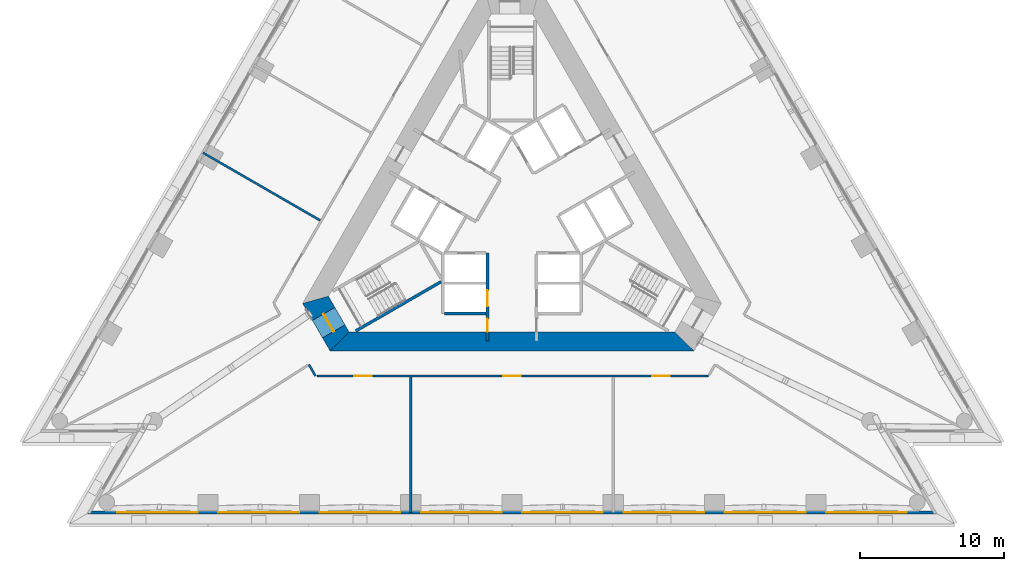
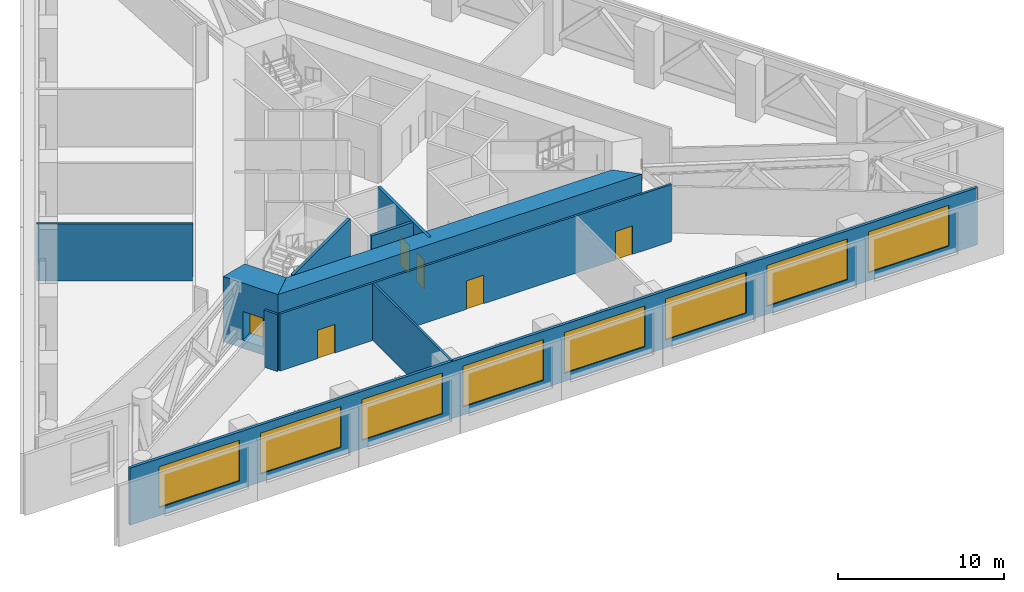
# One storey, part 6 of 12: 10 walls, 8 windows, 6 doors, 14 openings.
"""IFC4 building model written with IfcOpenShell, lengths in metres."""

from ifc_helpers import new_model, si_unit, direction, frame, frame_2d, origin, place, context, subcontext, project, spatial, polyline, rectangle, outline, extrude, material, layer, layer_set, layer_usage, type_object, element, fill, save


model = new_model("IFC4")

# Units and contexts
model_context = context("Model", 3, precision=1e-05, world=origin(), true_north=direction((0.0, 1.0)))
body_context = subcontext(model_context, "Body", "Model", "MODEL_VIEW")
ifc_project = project(units=[si_unit("LENGTHUNIT", "METRE"), si_unit("AREAUNIT", "SQUARE_METRE"), si_unit("VOLUMEUNIT", "CUBIC_METRE"), si_unit("PLANEANGLEUNIT", "RADIAN"), si_unit("MASSUNIT", "GRAM", prefix="KILO")], contexts=[model_context])

# Site, building, storey
site_placement = place(None, origin())
site = spatial("IfcSite", under=ifc_project, at=site_placement, CompositionType="ELEMENT")
building_placement = place(site_placement, origin())
building = spatial("IfcBuilding", under=site, at=building_placement, Name="Triada Interchange Tower", CompositionType="ELEMENT")
storey_placement = place(building_placement, frame((0.0, 0.0, 99.800048828125)))
storey = spatial("IfcBuildingStorey", under=building, at=storey_placement, Name="L22", CompositionType="ELEMENT", Elevation=99.800048828125)

# Wall
ifc_material_1 = material(Name="Concrete C30/37", Category="concrete")
ifc_layer_1 = layer(ifc_material_1, 0.199951171875)
ifc_layer_set_1 = layer_set([ifc_layer_1], Name="CORE WALL 200 EI 120")
wall_type_1 = type_object("IfcWallType", Name="CORE WALL 200 EI 120", PredefinedType="SOLIDWALL", material=ifc_layer_set_1)
wall_1_placement = place(storey_placement, frame((-4.699951171875, -6.89990234375, 0.0), z_axis=(0.0, 0.0, 1.0), x_axis=(1.0, 0.0, 0.0)))
element("IfcWall", 1, at=wall_1_placement, inside=storey, type_object=wall_type_1, Name="Wall L22 27", PredefinedType="SOLIDWALL", context=body_context, shape_type="SweptSolid", body=[
    extrude(rectangle(XDim=2.89990234375, YDim=0.199951171875, at=frame_2d((1.449951171875, 0.0))), origin(), (0.0, 0.0, 1.0), 4.199951171875),
])

# Wall, openings, doors
wall_2_placement = place(storey_placement, frame((-1.699951171875, -8.830078125, 0.0), z_axis=(0.0, 0.0, 1.0), x_axis=(0.0, 1.0, 0.0)))
wall_2 = element("IfcWall", 2, at=wall_2_placement, inside=storey, type_object=wall_type_1, Name="Wall L22 29", PredefinedType="SOLIDWALL", context=body_context, shape_type="SweptSolid", body=[
    extrude(rectangle(XDim=6.127197265625, YDim=0.199951171875, at=frame_2d((3.0634765625, 0.0))), origin(), (0.0, 0.0, 1.0), 4.199951171875),
])
opening_1_placement = place(wall_2_placement, frame((2.429931640625, 0.0, 0.0)))
opening_1 = element("IfcOpeningElement", 3, at=opening_1_placement, cuts=wall_2, Name="Opening LD-LR4", PredefinedType="OPENING", context=body_context, shape_type="SweptSolid", body=[
    extrude(rectangle(XDim=1.10009765625, YDim=2.10009765625, at=frame_2d((0.550048828125, 1.050048828125))), frame((0.0, 0.10986328125, 0.0), z_axis=(0.0, -1.0, 0.0), x_axis=(1.0, 0.0, 0.0)), (0.0, 0.0, 1.0), 0.219970703125),
])
opening_2_placement = place(wall_2_placement, frame((0.655029296875, 0.0, 0.0)))
opening_2 = element("IfcOpeningElement", 4, at=opening_2_placement, cuts=wall_2, Name="Opening D22-25", PredefinedType="OPENING", context=body_context, shape_type="SweptSolid", body=[
    extrude(rectangle(XDim=0.89990234375, YDim=2.10009765625, at=frame_2d((0.449951171875, 1.050048828125))), frame((0.0, 0.10986328125, 0.0), z_axis=(0.0, -1.0, 0.0), x_axis=(1.0, 0.0, 0.0)), (0.0, 0.0, 1.0), 0.219970703125),
])
ifc_material_2 = material(Name="Steel S235 door leaf", Category="steel")
door_type_1 = type_object("IfcDoorType", Name="LIFT LANDING DOOR 1100 EI 120", OperationType="SLIDING_TO_LEFT", PredefinedType="DOOR", material=ifc_material_2)
door_1_placement = place(opening_1_placement, origin())
door_1 = element("IfcDoor", 5, at=door_1_placement, inside=storey, type_object=door_type_1, Name="LR4 landing door L22", OperationType="SLIDING_TO_LEFT", OverallHeight=2.10009765625, OverallWidth=1.10009765625, PredefinedType="DOOR", context=body_context, shape_type="SweptSolid", body=[
    extrude(rectangle(XDim=1.10009765625, YDim=2.10009765625, at=frame_2d((0.550048828125, 1.050048828125))), frame((0.0, 0.02490234375, 0.0), z_axis=(0.0, -1.0, 0.0), x_axis=(1.0, 0.0, 0.0)), (0.0, 0.0, 1.0), 0.050048828125),
])
fill(opening_1, door_1)
door_type_2 = type_object("IfcDoorType", Name="SERVICE DOOR 900 EI2 45-C5S200", OperationType="NOTDEFINED", PredefinedType="DOOR", material=ifc_material_2)
door_2_placement = place(opening_2_placement, origin())
door_2 = element("IfcDoor", 6, at=door_2_placement, inside=storey, type_object=door_type_2, Name="Door D22-25 L22", OperationType="SINGLE_SWING_RIGHT", OverallHeight=2.10009765625, OverallWidth=0.89990234375, PredefinedType="DOOR", context=body_context, shape_type="SweptSolid", body=[
    extrude(rectangle(XDim=0.89990234375, YDim=2.10009765625, at=frame_2d((0.449951171875, 1.050048828125))), frame((0.0, 0.02490234375, 0.0), z_axis=(0.0, -1.0, 0.0), x_axis=(1.0, 0.0, 0.0)), (0.0, 0.0, 1.0), 0.050048828125),
])
fill(opening_2, door_2)

# Walls
ifc_layer_2 = layer(ifc_material_1, 0.199951171875)
ifc_layer_set_2 = layer_set([ifc_layer_2], Name="CORE WALL 200 REI 240")
wall_type_2 = type_object("IfcWallType", Name="CORE WALL 200 REI 240", PredefinedType="SOLIDWALL", material=ifc_layer_set_2)
wall_3_placement = place(storey_placement, frame((-10.85302734375, -8.113037109375, 0.0), z_axis=(0.0, 0.0, 1.0), x_axis=(0.866047105788, 0.499962409144, 0.0)))
element("IfcWall", 7, at=wall_3_placement, inside=storey, type_object=wall_type_2, Name="Wall L22 62", PredefinedType="SOLIDWALL", context=body_context, shape_type="SweptSolid", body=[
    extrude(rectangle(XDim=6.84033203125, YDim=0.199951171875, at=frame_2d((3.420166015625, 0.0))), origin(), (0.0, 0.0, 1.0), 4.199951171875),
])
ifc_material_3 = material(Name="Concrete C70/85", Category="concrete")
ifc_layer_3 = layer(ifc_material_3, 1.300048828125)
ifc_layer_set_3 = layer_set([ifc_layer_3], Name="Core wall A 1300")
wall_type_3 = type_object("IfcWallType", Name="Core wall A 1300", PredefinedType="SHEAR", material=ifc_layer_set_3)
wall_4_placement = place(storey_placement, frame((-11.97998046875, -8.85009765625, -0.60009765625), z_axis=(0.0, 0.0, 1.0), x_axis=(1.0, 0.0, 0.0)))
element("IfcWall", 8, at=wall_4_placement, inside=storey, type_object=wall_type_3, Name="Core wall WA10 L22", PredefinedType="SHEAR", context=body_context, shape_type="SweptSolid", body=[
    extrude(outline(polyline([(-0.6640625, -0.64990234375), (1.28125, -0.64990234375), (3.226318359375, -0.64990234375), (5.171630859375, -0.64990234375), (7.116943359375, -0.64990234375), (9.06201171875, -0.64990234375), (11.00732421875, -0.64990234375), (12.95263671875, -0.64990234375), (14.89794921875, -0.64990234375), (16.843017578125, -0.64990234375), (18.788330078125, -0.64990234375), (20.733642578125, -0.64990234375), (22.6787109375, -0.64990234375), (24.6240234375, -0.64990234375), (23.2958984375, 0.64990234375), (21.409912109375, 0.64990234375), (19.52392578125, 0.64990234375), (17.637939453125, 0.64990234375), (15.751953125, 0.64990234375), (13.865966796875, 0.64990234375), (11.97998046875, 0.64990234375), (10.093994140625, 0.64990234375), (8.2080078125, 0.64990234375), (6.322021484375, 0.64990234375), (4.43603515625, 0.64990234375), (2.550048828125, 0.64990234375), (0.6640625, 0.64990234375), (-0.6640625, -0.64990234375)])), origin(), (0.0, 0.0, 1.0), 4.800048828125),
])

# Wall, opening, door
ifc_layer_4 = layer(ifc_material_3, 1.800048828125)
ifc_layer_set_4 = layer_set([ifc_layer_4], Name="Core wall A 1800")
wall_type_4 = type_object("IfcWallType", Name="Core wall A 1800", PredefinedType="SHEAR", material=ifc_layer_set_4)
wall_5_placement = place(storey_placement, frame((-13.654052734375, -5.949951171875, -0.60009765625), z_axis=(0.0, 0.0, 1.0), x_axis=(0.499926515799, -0.866067825751, 0.0)))
wall_5 = element("IfcWall", 9, at=wall_5_placement, inside=storey, type_object=wall_type_4, Name="Core wall WA09 L22", PredefinedType="SHEAR", context=body_context, shape_type="SweptSolid", body=[
    extrude(outline(polyline([(-0.23095703125, -0.89990234375), (1.674072265625, -0.89990234375), (3.5791015625, -0.89990234375), (3.116943359375, 0.89990234375), (1.673828125, 0.89990234375), (0.23095703125, 0.89990234375), (-0.23095703125, -0.89990234375)])), origin(), (0.0, 0.0, 1.0), 4.800048828125),
])
opening_3_placement = place(wall_5_placement, frame((1.134033203125, 0.0, 0.60009765625)))
opening_3 = element("IfcOpeningElement", 10, at=opening_3_placement, cuts=wall_5, Name="Opening D22-22", PredefinedType="OPENING", context=body_context, shape_type="SweptSolid", body=[
    extrude(rectangle(XDim=1.39990234375, YDim=2.10009765625, at=frame_2d((0.699951171875, 1.050048828125))), frame((0.0, 0.909912109375, 0.0), z_axis=(0.0, -1.0, 0.0), x_axis=(1.0, 0.0, 0.0)), (0.0, 0.0, 1.0), 1.820068359375),
])
door_type_3 = type_object("IfcDoorType", Name="STAIR DOOR 1400 EI2 90-C5S200", OperationType="DOUBLE_DOOR_SINGLE_SWING", PredefinedType="DOOR", material=ifc_material_2)
door_3_placement = place(opening_3_placement, origin())
door_3 = element("IfcDoor", 11, at=door_3_placement, inside=storey, type_object=door_type_3, Name="Door D22-22 L22", OperationType="DOUBLE_DOOR_SINGLE_SWING", OverallHeight=2.10009765625, OverallWidth=1.39990234375, PredefinedType="DOOR", context=body_context, shape_type="SweptSolid", body=[
    extrude(rectangle(XDim=1.39990234375, YDim=2.10009765625, at=frame_2d((0.699951171875, 1.050048828125))), frame((0.0, 0.02490234375, 0.0), z_axis=(0.0, -1.0, 0.0), x_axis=(1.0, 0.0, 0.0)), (0.0, 0.0, 1.0), 0.050048828125),
])
fill(opening_3, door_3)

# Wall, openings, windows
ifc_material_4 = material(Name="Cement board")
ifc_layer_5 = layer(ifc_material_4, 0.02001953125, Name="Cement board cladding")
ifc_material_5 = material(Name="Sheathing board")
ifc_layer_6 = layer(ifc_material_5, 0.014892578125, Name="Sheathing board")
ifc_material_6 = material(Name="Mineral wool")
ifc_layer_7 = layer(ifc_material_6, 0.14990234375, Name="Mineral wool between steel studs")
ifc_material_7 = material(Name="Gypsum board")
ifc_layer_8 = layer(ifc_material_7, 0.014892578125, Name="Plasterboard lining")
ifc_layer_set_5 = layer_set([ifc_layer_5, ifc_layer_6, ifc_layer_7, ifc_layer_8], Name="External wall 200")
ifc_layer_usage = layer_usage(ifc_layer_set_5, "AXIS2", "POSITIVE", -0.10009765625)
wall_type_5 = type_object("IfcWallType", Name="External wall 200", PredefinedType="ELEMENTEDWALL", material=ifc_layer_set_5)
wall_6_placement = place(storey_placement, frame((-29.466064453125, -20.72705078125, 0.0), z_axis=(0.0, 0.0, 1.0), x_axis=(1.0, 0.0, 0.0)))
wall_6 = element("IfcWall", 12, at=wall_6_placement, inside=storey, type_object=wall_type_5, material=ifc_layer_usage, Name="External wall L22 S", PredefinedType="ELEMENTEDWALL", context=body_context, shape_type="SweptSolid", body=[
    extrude(rectangle(XDim=58.912109375, YDim=0.199951171875, at=frame_2d((29.4560546875, 0.0))), origin(), (0.0, 0.0, 1.0), 4.199951171875),
])
opening_4_placement = place(wall_6_placement, frame((2.02294921875, 0.0, 0.60009765625)))
opening_4 = element("IfcOpeningElement", 13, at=opening_4_placement, cuts=wall_6, Name="Opening LA11", PredefinedType="OPENING", context=body_context, shape_type="SweptSolid", body=[
    extrude(rectangle(XDim=5.60009765625, YDim=3.0, at=frame_2d((2.800048828125, 1.5))), frame((0.0, 0.10986328125, 0.0), z_axis=(0.0, -1.0, 0.0), x_axis=(1.0, 0.0, 0.0)), (0.0, 0.0, 1.0), 0.219970703125),
])
opening_5_placement = place(wall_6_placement, frame((9.06396484375, 0.0, 0.60009765625)))
opening_5 = element("IfcOpeningElement", 14, at=opening_5_placement, cuts=wall_6, Name="Opening LA12", PredefinedType="OPENING", context=body_context, shape_type="SweptSolid", body=[
    extrude(rectangle(XDim=5.60009765625, YDim=3.0, at=frame_2d((2.800048828125, 1.5))), frame((0.0, 0.10986328125, 0.0), z_axis=(0.0, -1.0, 0.0), x_axis=(1.0, 0.0, 0.0)), (0.0, 0.0, 1.0), 0.219970703125),
])
opening_6_placement = place(wall_6_placement, frame((16.10498046875, 0.0, 0.60009765625)))
opening_6 = element("IfcOpeningElement", 15, at=opening_6_placement, cuts=wall_6, Name="Opening LA13", PredefinedType="OPENING", context=body_context, shape_type="SweptSolid", body=[
    extrude(rectangle(XDim=5.60009765625, YDim=3.0, at=frame_2d((2.800048828125, 1.5))), frame((0.0, 0.10986328125, 0.0), z_axis=(0.0, -1.0, 0.0), x_axis=(1.0, 0.0, 0.0)), (0.0, 0.0, 1.0), 0.219970703125),
])
opening_7_placement = place(wall_6_placement, frame((23.14599609375, 0.0, 0.60009765625)))
opening_7 = element("IfcOpeningElement", 16, at=opening_7_placement, cuts=wall_6, Name="Opening LA14", PredefinedType="OPENING", context=body_context, shape_type="SweptSolid", body=[
    extrude(rectangle(XDim=5.60009765625, YDim=3.0, at=frame_2d((2.800048828125, 1.5))), frame((0.0, 0.10986328125, 0.0), z_axis=(0.0, -1.0, 0.0), x_axis=(1.0, 0.0, 0.0)), (0.0, 0.0, 1.0), 0.219970703125),
])
opening_8_placement = place(wall_6_placement, frame((30.18603515625, 0.0, 0.60009765625)))
opening_8 = element("IfcOpeningElement", 17, at=opening_8_placement, cuts=wall_6, Name="Opening LA15", PredefinedType="OPENING", context=body_context, shape_type="SweptSolid", body=[
    extrude(rectangle(XDim=5.60009765625, YDim=3.0, at=frame_2d((2.800048828125, 1.5))), frame((0.0, 0.10986328125, 0.0), z_axis=(0.0, -1.0, 0.0), x_axis=(1.0, 0.0, 0.0)), (0.0, 0.0, 1.0), 0.219970703125),
])
opening_9_placement = place(wall_6_placement, frame((37.22705078125, 0.0, 0.60009765625)))
opening_9 = element("IfcOpeningElement", 18, at=opening_9_placement, cuts=wall_6, Name="Opening LA16", PredefinedType="OPENING", context=body_context, shape_type="SweptSolid", body=[
    extrude(rectangle(XDim=5.60009765625, YDim=3.0, at=frame_2d((2.800048828125, 1.5))), frame((0.0, 0.10986328125, 0.0), z_axis=(0.0, -1.0, 0.0), x_axis=(1.0, 0.0, 0.0)), (0.0, 0.0, 1.0), 0.219970703125),
])
opening_10_placement = place(wall_6_placement, frame((44.26806640625, 0.0, 0.60009765625)))
opening_10 = element("IfcOpeningElement", 19, at=opening_10_placement, cuts=wall_6, Name="Opening LA17", PredefinedType="OPENING", context=body_context, shape_type="SweptSolid", body=[
    extrude(rectangle(XDim=5.60009765625, YDim=3.0, at=frame_2d((2.800048828125, 1.5))), frame((0.0, 0.10986328125, 0.0), z_axis=(0.0, -1.0, 0.0), x_axis=(1.0, 0.0, 0.0)), (0.0, 0.0, 1.0), 0.219970703125),
])
opening_11_placement = place(wall_6_placement, frame((51.30908203125, 0.0, 0.60009765625)))
opening_11 = element("IfcOpeningElement", 20, at=opening_11_placement, cuts=wall_6, Name="Opening LA18", PredefinedType="OPENING", context=body_context, shape_type="SweptSolid", body=[
    extrude(rectangle(XDim=5.60009765625, YDim=3.0, at=frame_2d((2.800048828125, 1.5))), frame((0.0, 0.10986328125, 0.0), z_axis=(0.0, -1.0, 0.0), x_axis=(1.0, 0.0, 0.0)), (0.0, 0.0, 1.0), 0.219970703125),
])
ifc_material_8 = material(Name="Aluminium louvre", Category="aluminium")
window_type = type_object("IfcWindowType", Name="Plant louvre A face", PartitioningType="SINGLE_PANEL", PredefinedType="WINDOW", material=ifc_material_8)
window_1_placement = place(opening_4_placement, origin())
window_1 = element("IfcWindow", 21, at=window_1_placement, inside=storey, type_object=window_type, Name="Louvre L22 S 1", OverallHeight=3.0, OverallWidth=5.60009765625, PartitioningType="SINGLE_PANEL", PredefinedType="WINDOW", context=body_context, shape_type="SweptSolid", body=[
    extrude(rectangle(XDim=5.60009765625, YDim=3.0, at=frame_2d((2.800048828125, 1.5))), frame((0.0, 0.030029296875, 0.0), z_axis=(0.0, -1.0, 0.0), x_axis=(1.0, 0.0, 0.0)), (0.0, 0.0, 1.0), 0.06005859375),
])
fill(opening_4, window_1)
window_2_placement = place(opening_5_placement, origin())
window_2 = element("IfcWindow", 22, at=window_2_placement, inside=storey, type_object=window_type, Name="Louvre L22 S 2", OverallHeight=3.0, OverallWidth=5.60009765625, PartitioningType="SINGLE_PANEL", PredefinedType="WINDOW", context=body_context, shape_type="SweptSolid", body=[
    extrude(rectangle(XDim=5.60009765625, YDim=3.0, at=frame_2d((2.800048828125, 1.5))), frame((0.0, 0.030029296875, 0.0), z_axis=(0.0, -1.0, 0.0), x_axis=(1.0, 0.0, 0.0)), (0.0, 0.0, 1.0), 0.06005859375),
])
fill(opening_5, window_2)
window_3_placement = place(opening_6_placement, origin())
window_3 = element("IfcWindow", 23, at=window_3_placement, inside=storey, type_object=window_type, Name="Louvre L22 S 3", OverallHeight=3.0, OverallWidth=5.60009765625, PartitioningType="SINGLE_PANEL", PredefinedType="WINDOW", context=body_context, shape_type="SweptSolid", body=[
    extrude(rectangle(XDim=5.60009765625, YDim=3.0, at=frame_2d((2.800048828125, 1.5))), frame((0.0, 0.030029296875, 0.0), z_axis=(0.0, -1.0, 0.0), x_axis=(1.0, 0.0, 0.0)), (0.0, 0.0, 1.0), 0.06005859375),
])
fill(opening_6, window_3)
window_4_placement = place(opening_7_placement, origin())
window_4 = element("IfcWindow", 24, at=window_4_placement, inside=storey, type_object=window_type, Name="Louvre L22 S 4", OverallHeight=3.0, OverallWidth=5.60009765625, PartitioningType="SINGLE_PANEL", PredefinedType="WINDOW", context=body_context, shape_type="SweptSolid", body=[
    extrude(rectangle(XDim=5.60009765625, YDim=3.0, at=frame_2d((2.800048828125, 1.5))), frame((0.0, 0.030029296875, 0.0), z_axis=(0.0, -1.0, 0.0), x_axis=(1.0, 0.0, 0.0)), (0.0, 0.0, 1.0), 0.06005859375),
])
fill(opening_7, window_4)
window_5_placement = place(opening_8_placement, origin())
window_5 = element("IfcWindow", 25, at=window_5_placement, inside=storey, type_object=window_type, Name="Louvre L22 S 5", OverallHeight=3.0, OverallWidth=5.60009765625, PartitioningType="SINGLE_PANEL", PredefinedType="WINDOW", context=body_context, shape_type="SweptSolid", body=[
    extrude(rectangle(XDim=5.60009765625, YDim=3.0, at=frame_2d((2.800048828125, 1.5))), frame((0.0, 0.030029296875, 0.0), z_axis=(0.0, -1.0, 0.0), x_axis=(1.0, 0.0, 0.0)), (0.0, 0.0, 1.0), 0.06005859375),
])
fill(opening_8, window_5)
window_6_placement = place(opening_9_placement, origin())
window_6 = element("IfcWindow", 26, at=window_6_placement, inside=storey, type_object=window_type, Name="Louvre L22 S 6", OverallHeight=3.0, OverallWidth=5.60009765625, PartitioningType="SINGLE_PANEL", PredefinedType="WINDOW", context=body_context, shape_type="SweptSolid", body=[
    extrude(rectangle(XDim=5.60009765625, YDim=3.0, at=frame_2d((2.800048828125, 1.5))), frame((0.0, 0.030029296875, 0.0), z_axis=(0.0, -1.0, 0.0), x_axis=(1.0, 0.0, 0.0)), (0.0, 0.0, 1.0), 0.06005859375),
])
fill(opening_9, window_6)
window_7_placement = place(opening_10_placement, origin())
window_7 = element("IfcWindow", 27, at=window_7_placement, inside=storey, type_object=window_type, Name="Louvre L22 S 7", OverallHeight=3.0, OverallWidth=5.60009765625, PartitioningType="SINGLE_PANEL", PredefinedType="WINDOW", context=body_context, shape_type="SweptSolid", body=[
    extrude(rectangle(XDim=5.60009765625, YDim=3.0, at=frame_2d((2.800048828125, 1.5))), frame((0.0, 0.030029296875, 0.0), z_axis=(0.0, -1.0, 0.0), x_axis=(1.0, 0.0, 0.0)), (0.0, 0.0, 1.0), 0.06005859375),
])
fill(opening_10, window_7)
window_8_placement = place(opening_11_placement, origin())
window_8 = element("IfcWindow", 28, at=window_8_placement, inside=storey, type_object=window_type, Name="Louvre L22 S 8", OverallHeight=3.0, OverallWidth=5.60009765625, PartitioningType="SINGLE_PANEL", PredefinedType="WINDOW", context=body_context, shape_type="SweptSolid", body=[
    extrude(rectangle(XDim=5.60009765625, YDim=3.0, at=frame_2d((2.800048828125, 1.5))), frame((0.0, 0.030029296875, 0.0), z_axis=(0.0, -1.0, 0.0), x_axis=(1.0, 0.0, 0.0)), (0.0, 0.0, 1.0), 0.06005859375),
])
fill(opening_11, window_8)

# Wall
ifc_material_9 = material(Name="Gypsum board partition")
ifc_layer_9 = layer(ifc_material_9, 0.14990234375)
ifc_layer_set_6 = layer_set([ifc_layer_9], Name="PARTITION 150 EI 180")
wall_type_6 = type_object("IfcWallType", Name="PARTITION 150 EI 180", PredefinedType="PARTITIONING", material=ifc_layer_set_6)
wall_7_placement = place(storey_placement, frame((-14.114990234375, -10.451904296875, 0.0), z_axis=(0.0, 0.0, 1.0), x_axis=(0.500127537037, -0.865951757719, 0.0)))
element("IfcWall", 29, at=wall_7_placement, inside=storey, type_object=wall_type_6, Name="Wall L22 3", PredefinedType="PARTITIONING", context=body_context, shape_type="SweptSolid", body=[
    extrude(rectangle(XDim=0.921630859375, YDim=0.14990234375, at=frame_2d((0.4609375, 0.0))), origin(), (0.0, 0.0, 1.0), 4.199951171875),
])

# Wall, openings, doors
wall_8_placement = place(storey_placement, frame((-13.568115234375, -11.25, 0.0), z_axis=(0.0, 0.0, 1.0), x_axis=(1.0, 0.0, 0.0)))
wall_8 = element("IfcWall", 30, at=wall_8_placement, inside=storey, type_object=wall_type_6, Name="Wall L22 6", PredefinedType="PARTITIONING", context=body_context, shape_type="SweptSolid", body=[
    extrude(rectangle(XDim=27.22216796875, YDim=0.14990234375, at=frame_2d((13.611083984375, 0.0))), origin(), (0.0, 0.0, 1.0), 4.199951171875),
])
opening_12_placement = place(wall_8_placement, frame((2.6201171875, 0.0, 0.0)))
opening_12 = element("IfcOpeningElement", 31, at=opening_12_placement, cuts=wall_8, Name="Opening D22-13", PredefinedType="OPENING", context=body_context, shape_type="SweptSolid", body=[
    extrude(rectangle(XDim=1.199951171875, YDim=2.10009765625, at=frame_2d((0.60009765625, 1.050048828125))), frame((0.0, 0.0849609375, 0.0), z_axis=(0.0, -1.0, 0.0), x_axis=(1.0, 0.0, 0.0)), (0.0, 0.0, 1.0), 0.169921875),
])
opening_13_placement = place(wall_8_placement, frame((12.968017578125, 0.0, 0.0)))
opening_13 = element("IfcOpeningElement", 32, at=opening_13_placement, cuts=wall_8, Name="Opening D22-14", PredefinedType="OPENING", context=body_context, shape_type="SweptSolid", body=[
    extrude(rectangle(XDim=1.199951171875, YDim=2.10009765625, at=frame_2d((0.60009765625, 1.050048828125))), frame((0.0, 0.0849609375, 0.0), z_axis=(0.0, -1.0, 0.0), x_axis=(1.0, 0.0, 0.0)), (0.0, 0.0, 1.0), 0.169921875),
])
opening_14_placement = place(wall_8_placement, frame((23.31591796875, 0.0, 0.0)))
opening_14 = element("IfcOpeningElement", 33, at=opening_14_placement, cuts=wall_8, Name="Opening D22-15", PredefinedType="OPENING", context=body_context, shape_type="SweptSolid", body=[
    extrude(rectangle(XDim=1.199951171875, YDim=2.10009765625, at=frame_2d((0.60009765625, 1.050048828125))), frame((0.0, 0.0849609375, 0.0), z_axis=(0.0, -1.0, 0.0), x_axis=(1.0, 0.0, 0.0)), (0.0, 0.0, 1.0), 0.169921875),
])
door_type_4 = type_object("IfcDoorType", Name="DOUBLE ROOM DOOR 1200 EI2 45-C5S200", OperationType="DOUBLE_DOOR_SINGLE_SWING", PredefinedType="DOOR", material=ifc_material_2)
door_4_placement = place(opening_12_placement, origin())
door_4 = element("IfcDoor", 34, at=door_4_placement, inside=storey, type_object=door_type_4, Name="Door D22-13 L22", OperationType="DOUBLE_DOOR_SINGLE_SWING", OverallHeight=2.10009765625, OverallWidth=1.199951171875, PredefinedType="DOOR", context=body_context, shape_type="SweptSolid", body=[
    extrude(rectangle(XDim=1.199951171875, YDim=2.10009765625, at=frame_2d((0.60009765625, 1.050048828125))), frame((0.0, 0.02490234375, 0.0), z_axis=(0.0, -1.0, 0.0), x_axis=(1.0, 0.0, 0.0)), (0.0, 0.0, 1.0), 0.050048828125),
])
fill(opening_12, door_4)
door_5_placement = place(opening_13_placement, origin())
door_5 = element("IfcDoor", 35, at=door_5_placement, inside=storey, type_object=door_type_4, Name="Door D22-14 L22", OperationType="DOUBLE_DOOR_SINGLE_SWING", OverallHeight=2.10009765625, OverallWidth=1.199951171875, PredefinedType="DOOR", context=body_context, shape_type="SweptSolid", body=[
    extrude(rectangle(XDim=1.199951171875, YDim=2.10009765625, at=frame_2d((0.60009765625, 1.050048828125))), frame((0.0, 0.02490234375, 0.0), z_axis=(0.0, -1.0, 0.0), x_axis=(1.0, 0.0, 0.0)), (0.0, 0.0, 1.0), 0.050048828125),
])
fill(opening_13, door_5)
door_6_placement = place(opening_14_placement, origin())
door_6 = element("IfcDoor", 36, at=door_6_placement, inside=storey, type_object=door_type_4, Name="Door D22-15 L22", OperationType="DOUBLE_DOOR_SINGLE_SWING", OverallHeight=2.10009765625, OverallWidth=1.199951171875, PredefinedType="DOOR", context=body_context, shape_type="SweptSolid", body=[
    extrude(rectangle(XDim=1.199951171875, YDim=2.10009765625, at=frame_2d((0.60009765625, 1.050048828125))), frame((0.0, 0.02490234375, 0.0), z_axis=(0.0, -1.0, 0.0), x_axis=(1.0, 0.0, 0.0)), (0.0, 0.0, 1.0), 0.050048828125),
])
fill(opening_14, door_6)

# Walls
wall_9_placement = place(storey_placement, frame((-21.469970703125, 4.26611328125, 0.0), z_axis=(0.0, 0.0, 1.0), x_axis=(0.866010015463, -0.500026652407, 0.0)))
element("IfcWall", 37, at=wall_9_placement, inside=storey, type_object=wall_type_6, Name="Wall L22 7", PredefinedType="PARTITIONING", context=body_context, shape_type="SweptSolid", body=[
    extrude(rectangle(XDim=9.40185546875, YDim=0.14990234375, at=frame_2d((4.700927734375, 0.0))), origin(), (0.0, 0.0, 1.0), 4.199951171875),
])
wall_10_placement = place(storey_placement, frame((-7.041015625, -20.72705078125, 0.0), z_axis=(0.0, 0.0, 1.0), x_axis=(0.0, 1.0, 0.0)))
element("IfcWall", 38, at=wall_10_placement, inside=storey, type_object=wall_type_6, Name="Wall L22 10", PredefinedType="PARTITIONING", context=body_context, shape_type="SweptSolid", body=[
    extrude(rectangle(XDim=9.402099609375, YDim=0.14990234375, at=frame_2d((4.701171875, 0.0))), origin(), (0.0, 0.0, 1.0), 4.199951171875),
])

save(model, "model.ifc")
